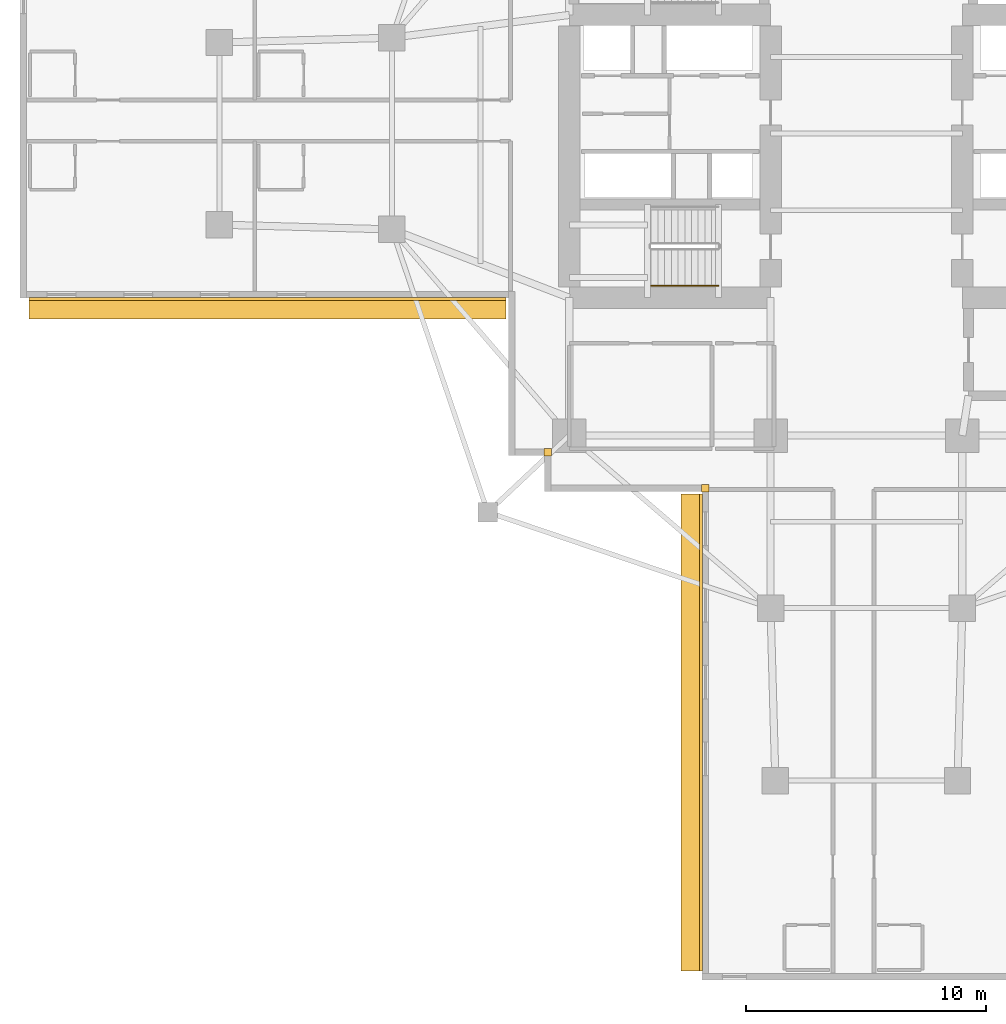
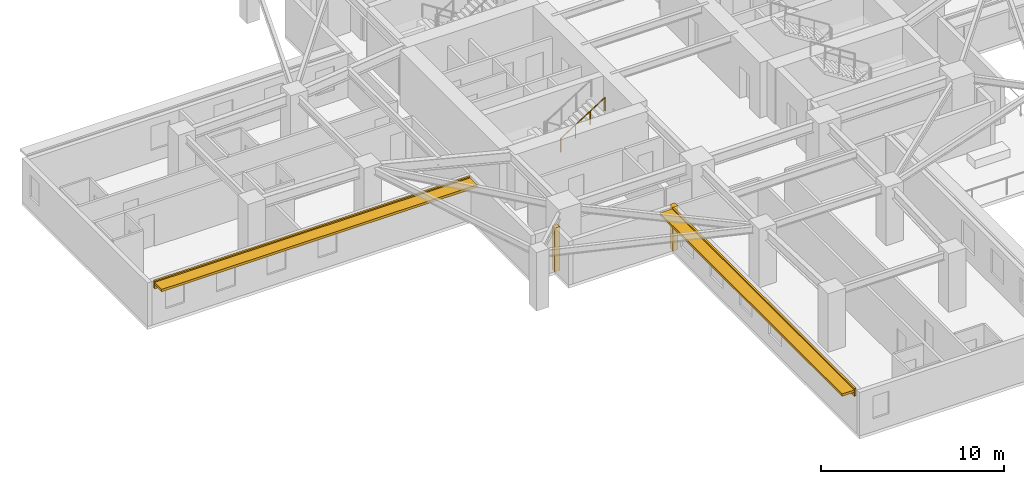
# One storey, part 9 of 13: 4 coverings, 2 shading devices, 1 railing.
"""IFC4 building model written with IfcOpenShell, lengths in metres."""

from ifc_helpers import new_model, si_unit, direction, frame, origin, origin_2d, place, context, subcontext, project, spatial, rectangle, circle, extrude, material, layer, layer_set, type_object, element, save


model = new_model("IFC4")

# Units and contexts
model_context = context("Model", 3, precision=1e-05, world=origin(), true_north=direction((0.0, 1.0)))
body_context = subcontext(model_context, "Body", "Model", "MODEL_VIEW")
ifc_project = project(units=[si_unit("LENGTHUNIT", "METRE"), si_unit("AREAUNIT", "SQUARE_METRE"), si_unit("VOLUMEUNIT", "CUBIC_METRE"), si_unit("PLANEANGLEUNIT", "RADIAN"), si_unit("MASSUNIT", "GRAM", prefix="KILO")], contexts=[model_context])

# Site, building, storey
site_placement = place(None, origin())
site = spatial("IfcSite", under=ifc_project, at=site_placement, CompositionType="ELEMENT")
building_placement = place(site_placement, origin())
building = spatial("IfcBuilding", under=site, at=building_placement, Name="Qingluan Cross Belvedere", CompositionType="ELEMENT")
storey_placement = place(building_placement, frame((0.0, 0.0, 63.89990234375)))
storey = spatial("IfcBuildingStorey", under=building, at=storey_placement, Name="L16", CompositionType="ELEMENT", Elevation=63.89990234375)

# Coverings
ifc_material_1 = material(Name="Precast concrete C45", Category="concrete")
ifc_layer_1 = layer(ifc_material_1, 0.1201171875, Name="ConcreteSpandrelCladding_120")
ifc_layer_set_1 = layer_set([ifc_layer_1], Name="Precast concrete C45")
covering_type = type_object("IfcCoveringType", Name="ConcreteSpandrelCladding_120", PredefinedType="CLADDING", material=ifc_layer_set_1)
for number, where, z_axis, x_axis, name in (
    (1, (-24.989990234375, -6.909912109375, 2.4501953125), (0.0, 0.0, 1.0), (1.0, 0.0, 0.0), "Spandrel cladding L16-WB"),
    (2, (-6.909912109375, -24.989990234375, 2.4501953125), (0.0, 0.0, 1.0), (0.0, -1.0, 0.0), "Spandrel cladding L16-SA"),
):
    element("IfcCovering", number, at=place(storey_placement, frame(where, z_axis=z_axis, x_axis=x_axis)), inside=storey, type_object=covering_type, Name=name, PredefinedType="CLADDING", context=body_context, shape_type="SweptSolid", body=[
        extrude(rectangle(XDim=19.89990234375, YDim=0.1201171875, at=origin_2d()), origin(), (0.0, 0.0, 1.0), 0.52001953125),
    ])
for number, where, z_axis, x_axis, name in (
    (3, (-13.300048828125, -13.300048828125, 0.0), (0.0, 0.0, 1.0), (1.0, 0.0, 0.0), "Corner closure L16-SW1"),
    (4, (-6.719970703125, -14.800048828125, 0.0), (0.0, 0.0, 1.0), (1.0, 0.0, 0.0), "Corner closure L16-SW2"),
):
    element("IfcCovering", number, at=place(storey_placement, frame(where, z_axis=z_axis, x_axis=x_axis)), inside=storey, type_object=covering_type, Name=name, PredefinedType="CLADDING", context=body_context, shape_type="SweptSolid", body=[
        extrude(rectangle(XDim=0.320068359375, YDim=0.320068359375, at=origin_2d()), origin(), (0.0, 0.0, 1.0), 2.909912109375),
    ])

# Shading devices
ifc_material_2 = material(Name="Precast concrete C45", Category="concrete")
ifc_layer_2 = layer(ifc_material_2, 0.159912109375, Name="ConcreteSunshadeBand_900")
ifc_layer_set_2 = layer_set([ifc_layer_2], Name="Precast concrete C45")
shading_device_type = type_object("IfcShadingDeviceType", Name="ConcreteSunshadeBand_900", PredefinedType="USERDEFINED", material=ifc_layer_set_2)
for number, where, z_axis, x_axis, name in (
    (5, (-24.989990234375, -7.2900390625, 2.72998046875), (0.0, 0.0, 1.0), (1.0, 0.0, 0.0), "Concrete SUNSHADE L16-WB"),
    (6, (-7.2900390625, -24.989990234375, 2.72998046875), (0.0, 0.0, 1.0), (0.0, -1.0, 0.0), "Concrete SUNSHADE L16-SA"),
):
    element("IfcShadingDevice", number, at=place(storey_placement, frame(where, z_axis=z_axis, x_axis=x_axis)), inside=storey, type_object=shading_device_type, Name=name, ObjectType="SUNSHADE", PredefinedType="USERDEFINED", context=body_context, shape_type="SweptSolid", body=[
        extrude(rectangle(XDim=19.89990234375, YDim=0.89990234375, at=origin_2d()), origin(), (0.0, 0.0, 1.0), 0.159912109375),
    ])

# Railing
ifc_material_3 = material(Name="Brushed stainless steel tubular handrail", Category="steel")
railing_type = type_object("IfcRailingType", Name="StairPitchHandrail_900", PredefinedType="HANDRAIL", material=ifc_material_3)
railing_placement = place(storey_placement, frame((-8.97998046875, -6.35009765625, 2.12744140625)))
element("IfcRailing", 7, at=railing_placement, inside=storey, type_object=railing_type, Name="L16 ST1 stair handrail 2", PredefinedType="HANDRAIL", context=body_context, shape_type="SweptSolid", body=[
    extrude(circle(Radius=0.02392578125, at=origin_2d()), frame((0.0, 0.0, 0.8759765625), z_axis=(0.844908973607, 0.0, 0.534910110503), x_axis=(0.0, 1.0, 0.0)), (0.0, 0.0, 1.0), 3.31396484375),
    extrude(circle(Radius=0.02099609375, at=origin_2d()), origin(), (0.0, 0.0, 1.0), 0.851806640625),
    extrude(circle(Radius=0.02099609375, at=origin_2d()), frame((0.933349609375, 0.0, 0.5908203125)), (0.0, 0.0, 1.0), 0.851806640625),
    extrude(circle(Radius=0.02099609375, at=origin_2d()), frame((1.86669921875, 0.0, 1.181884765625)), (0.0, 0.0, 1.0), 0.851806640625),
    extrude(circle(Radius=0.02099609375, at=origin_2d()), frame((2.800048828125, 0.0, 1.772705078125)), (0.0, 0.0, 1.0), 0.851806640625),
])

save(model, "model.ifc")
